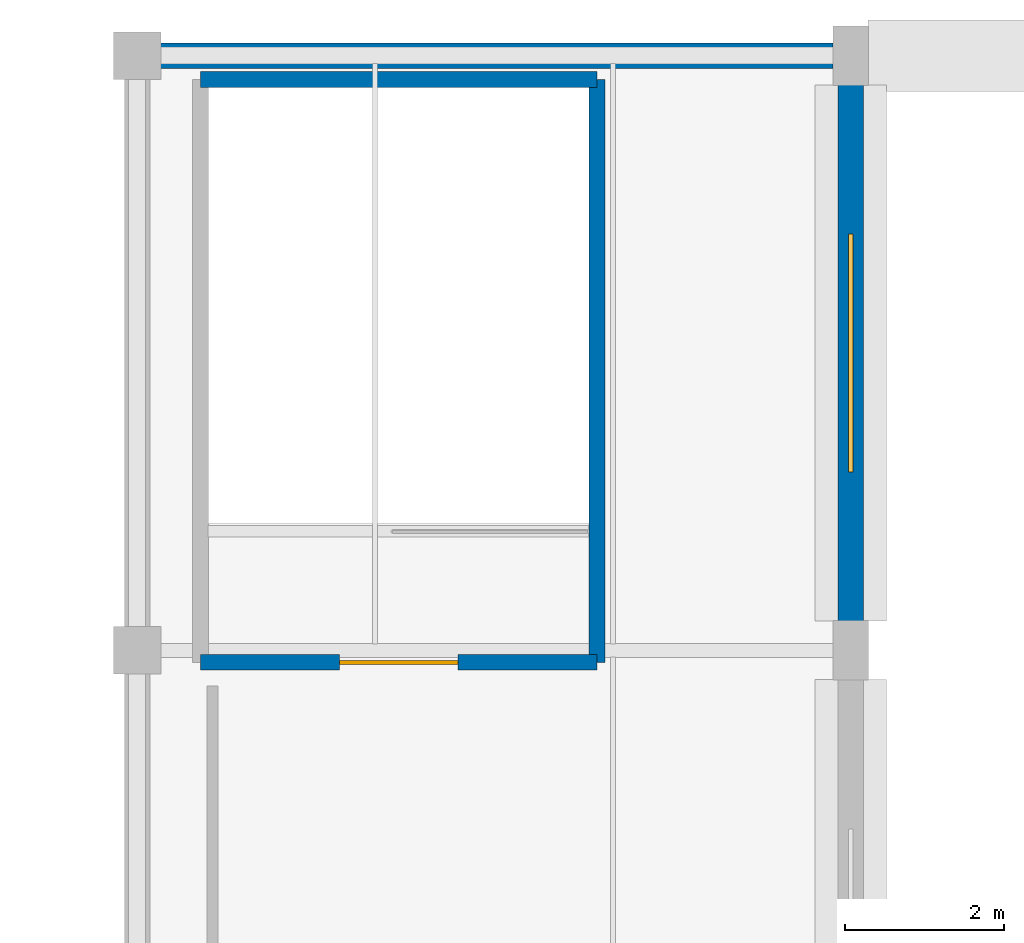
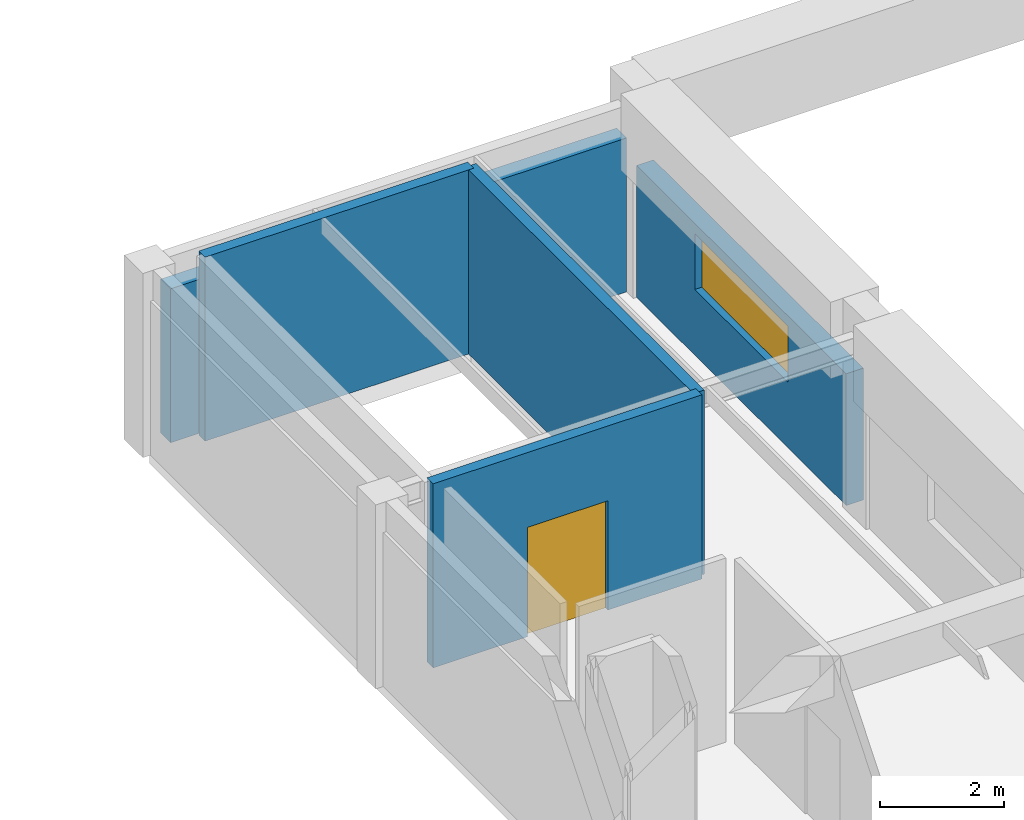
# One storey, part 73 of 76: 5 walls, 1 door, 1 window, 2 openings.
"""IFC4 building model written with IfcOpenShell, lengths in metres."""

from ifc_helpers import new_model, si_unit, direction, frame, frame_2d, origin, place, context, subcontext, project, spatial, rectangle, extrude, material, layer, layer_set, type_object, element, fill, save


model = new_model("IFC4")

# Units and contexts
model_context = context("Model", 3, precision=1e-05, world=origin(), true_north=direction((0.0, 1.0)))
body_context = subcontext(model_context, "Body", "Model", "MODEL_VIEW")
ifc_project = project(units=[si_unit("LENGTHUNIT", "METRE"), si_unit("AREAUNIT", "SQUARE_METRE"), si_unit("VOLUMEUNIT", "CUBIC_METRE"), si_unit("PLANEANGLEUNIT", "RADIAN"), si_unit("MASSUNIT", "GRAM", prefix="KILO")], contexts=[model_context])

# Site, building, storey
site_placement = place(None, origin())
site = spatial("IfcSite", under=ifc_project, at=site_placement, CompositionType="ELEMENT")
building_placement = place(site_placement, origin())
building = spatial("IfcBuilding", under=site, at=building_placement, Name="Marnridge Secondary College", CompositionType="ELEMENT")
storey_placement = place(building_placement, frame((0.0, 0.0, 4.5)))
storey = spatial("IfcBuildingStorey", under=building, at=storey_placement, Name="L01", CompositionType="ELEMENT", Elevation=4.5)

# Wall, opening, door
ifc_material_1 = material(Name="Concrete C40/50 (AS 3600 N40, 40 MPa)", Category="concrete")
ifc_layer_1 = layer(ifc_material_1, 0.199951171875)
ifc_layer_set_1 = layer_set([ifc_layer_1], Name="WT-CORE-RC200")
wall_type_1 = type_object("IfcWallType", Name="WT-CORE-RC200", PredefinedType="SHEAR", material=ifc_layer_set_1)
wall_1_placement = place(storey_placement, frame((126.800048828125, 112.35009765625, 0.0), z_axis=(0.0, 0.0, 1.0), x_axis=(1.0, 0.0, 0.0)))
wall_1 = element("IfcWall", 1, at=wall_1_placement, inside=storey, type_object=wall_type_1, Name="Stair core shear wall WC-L01-0405", PredefinedType="SHEAR", context=body_context, shape_type="SweptSolid", body=[
    extrude(rectangle(XDim=5.0, YDim=0.199951171875, at=frame_2d((2.5, 0.0))), origin(), (0.0, 0.0, 1.0), 3.6201171875),
])
opening_1_placement = place(wall_1_placement, frame((1.75, 0.0, 0.0)))
opening_1 = element("IfcOpeningElement", 2, at=opening_1_placement, cuts=wall_1, Name="Opening DC-L01-040", PredefinedType="OPENING", context=body_context, shape_type="SweptSolid", body=[
    extrude(rectangle(XDim=1.5, YDim=2.14990234375, at=frame_2d((0.75, 1.074951171875))), frame((0.0, 0.10986328125, 0.0), z_axis=(0.0, -1.0, 0.0), x_axis=(1.0, 0.0, 0.0)), (0.0, 0.0, 1.0), 0.219970703125),
])
ifc_material_2 = material(Name="Fire-rated solid-core timber doorset", Category="wood")
door_type = type_object("IfcDoorType", Name="DT-CORE-FD150", OperationType="DOUBLE_DOOR_SINGLE_SWING", PredefinedType="DOOR", material=ifc_material_2)
door_placement = place(opening_1_placement, origin())
door = element("IfcDoor", 3, at=door_placement, inside=storey, type_object=door_type, Name="Fire stair door DC-L01-040", OperationType="DOUBLE_DOOR_SINGLE_SWING", OverallHeight=2.14990234375, OverallWidth=1.5, PredefinedType="DOOR", context=body_context, shape_type="SweptSolid", body=[
    extrude(rectangle(XDim=1.5, YDim=2.14990234375, at=frame_2d((0.75, 1.074951171875))), frame((0.0, 0.02490234375, 0.0), z_axis=(0.0, -1.0, 0.0), x_axis=(1.0, 0.0, 0.0)), (0.0, 0.0, 1.0), 0.050048828125),
])
fill(opening_1, door)

# Walls
wall_2_placement = place(storey_placement, frame((131.800048828125, 112.35009765625, 0.0), z_axis=(0.0, 0.0, 1.0), x_axis=(0.0, 1.0, 0.0)))
element("IfcWall", 4, at=wall_2_placement, inside=storey, type_object=wall_type_1, Name="Stair core shear wall WC-L01-0406", PredefinedType="SHEAR", context=body_context, shape_type="SweptSolid", body=[
    extrude(rectangle(XDim=7.349853515625, YDim=0.199951171875, at=frame_2d((3.6748046875, 0.0))), origin(), (0.0, 0.0, 1.0), 3.6201171875),
])
wall_3_placement = place(storey_placement, frame((131.800048828125, 119.699951171875, 0.0), z_axis=(0.0, 0.0, 1.0), x_axis=(-1.0, 0.0, 0.0)))
element("IfcWall", 5, at=wall_3_placement, inside=storey, type_object=wall_type_1, Name="Stair core shear wall WC-L01-0407", PredefinedType="SHEAR", context=body_context, shape_type="SweptSolid", body=[
    extrude(rectangle(XDim=5.0, YDim=0.199951171875, at=frame_2d((2.5, 0.0))), origin(), (0.0, 0.0, 1.0), 3.6201171875),
])
ifc_material_3 = material(Name="Concrete C40/50 (AS 3600 N40, 40 MPa)", Category="concrete")
ifc_layer_2 = layer(ifc_material_3, 0.320068359375)
ifc_layer_set_2 = layer_set([ifc_layer_2], Name="WT-EXT-RC320")
wall_type_2 = type_object("IfcWallType", Name="WT-EXT-RC320", PredefinedType="SOLIDWALL", material=ifc_layer_set_2)
wall_4_placement = place(storey_placement, frame((126.2958984375, 120.0, 0.0), z_axis=(0.0, 0.0, 1.0), x_axis=(1.0, 0.0, 0.0)))
element("IfcWall", 6, at=wall_4_placement, inside=storey, type_object=wall_type_2, Name="Exterior wall WE-L01-0094", PredefinedType="SOLIDWALL", context=body_context, shape_type="SweptSolid", body=[
    extrude(rectangle(XDim=8.483154296875, YDim=0.320068359375, at=frame_2d((4.24169921875, 0.0))), origin(), (0.0, 0.0, 1.0), 3.027099609375),
])

# Wall, opening, window
wall_5_placement = place(storey_placement, frame((135.0, 119.62890625, 0.0), z_axis=(0.0, 0.0, 1.0), x_axis=(0.0, -1.0, 0.0)))
wall_5 = element("IfcWall", 7, at=wall_5_placement, inside=storey, type_object=wall_type_2, Name="Exterior wall WE-L01-0095", PredefinedType="SOLIDWALL", context=body_context, shape_type="SweptSolid", body=[
    extrude(rectangle(XDim=6.7578125, YDim=0.320068359375, at=frame_2d((3.37890625, 0.0))), origin(), (0.0, 0.0, 1.0), 2.592041015625),
])
opening_2_placement = place(wall_5_placement, frame((1.87890625, 0.0, 1.2919921875)))
opening_2 = element("IfcOpeningElement", 8, at=opening_2_placement, cuts=wall_5, Name="Opening WN-L01-0028", PredefinedType="OPENING", context=body_context, shape_type="SweptSolid", body=[
    extrude(rectangle(XDim=3.0, YDim=1.10009765625, at=frame_2d((1.5, 0.550048828125))), frame((0.0, 0.169921875, 0.0), z_axis=(0.0, -1.0, 0.0), x_axis=(1.0, 0.0, 0.0)), (0.0, 0.0, 1.0), 0.340087890625),
])
ifc_material_4 = material(Name="Translucent acoustic clerestory double glazing", Category="glass")
window_type = type_object("IfcWindowType", Name="WN-EXT-CL3011", PartitioningType="TRIPLE_PANEL_VERTICAL", PredefinedType="WINDOW", material=ifc_material_4)
window_placement = place(opening_2_placement, origin())
window = element("IfcWindow", 9, at=window_placement, inside=storey, type_object=window_type, Name="Facade window WN-L01-0028", OverallHeight=1.10009765625, OverallWidth=3.0, PartitioningType="TRIPLE_PANEL_VERTICAL", PredefinedType="WINDOW", context=body_context, shape_type="SweptSolid", body=[
    extrude(rectangle(XDim=3.0, YDim=1.10009765625, at=frame_2d((1.5, 0.550048828125))), frame((0.0, 0.030029296875, 0.0), z_axis=(0.0, -1.0, 0.0), x_axis=(1.0, 0.0, 0.0)), (0.0, 0.0, 1.0), 0.06005859375),
])
fill(opening_2, window)

save(model, "model.ifc")
